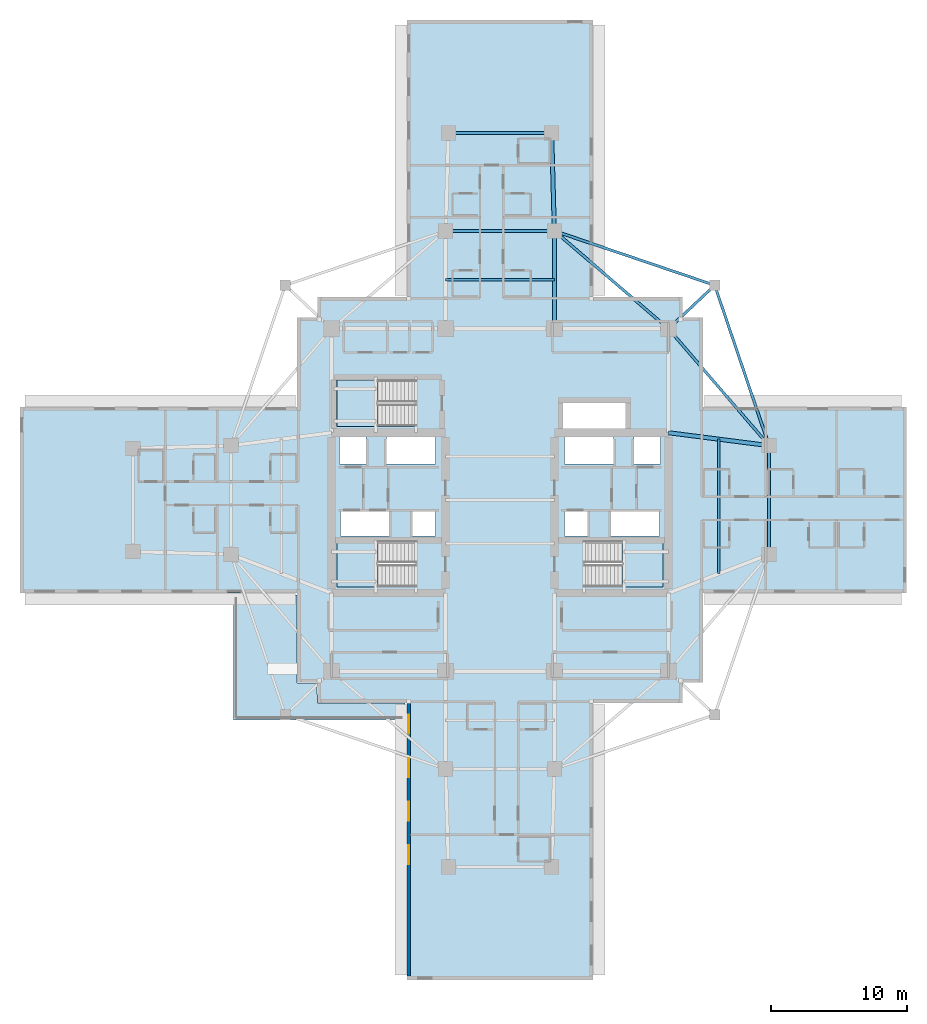
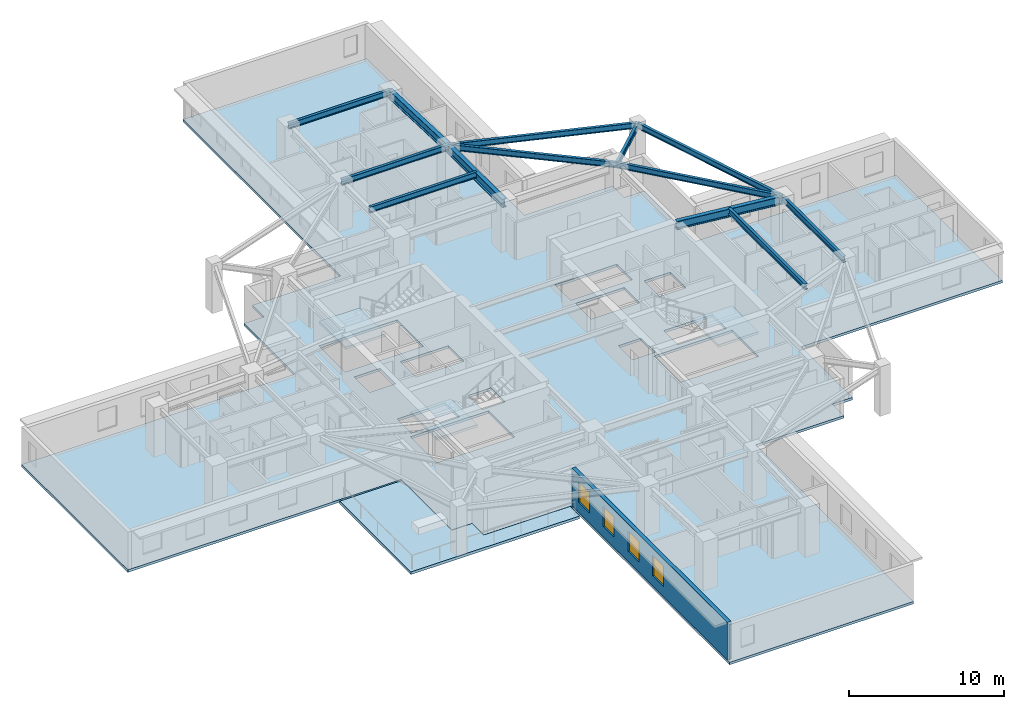
# One storey, part 2 of 13: 13 beams, 5 slabs, 4 windows, 1 wall, 4 openings, 3 elements without a shape of their own.
"""IFC4 building model written with IfcOpenShell, lengths in metres."""

from ifc_helpers import new_model, si_unit, direction, frame, frame_2d, origin, origin_2d, place, context, subcontext, project, spatial, polyline, rectangle, i_section, outline, extrude, material, layer, layer_set, material_profile, profile_set, type_object, element, fill, aggregate, save


model = new_model("IFC4")

# Units and contexts
model_context = context("Model", 3, precision=1e-05, world=origin(), true_north=direction((0.0, 1.0)))
body_context = subcontext(model_context, "Body", "Model", "MODEL_VIEW")
ifc_project = project(units=[si_unit("LENGTHUNIT", "METRE"), si_unit("AREAUNIT", "SQUARE_METRE"), si_unit("VOLUMEUNIT", "CUBIC_METRE"), si_unit("PLANEANGLEUNIT", "RADIAN"), si_unit("MASSUNIT", "GRAM", prefix="KILO")], contexts=[model_context])

# Site, building, storey
site_placement = place(None, origin())
site = spatial("IfcSite", under=ifc_project, at=site_placement, CompositionType="ELEMENT")
building_placement = place(site_placement, origin())
building = spatial("IfcBuilding", under=site, at=building_placement, Name="Qingluan Cross Belvedere", CompositionType="ELEMENT")
storey_placement = place(building_placement, frame((0.0, 0.0, 104.699951171875)))
storey = spatial("IfcBuildingStorey", under=building, at=storey_placement, Name="L26", CompositionType="ELEMENT", Elevation=104.699951171875)

# Beams
ifc_material_1 = material(Name="Steel Q420GJB", Category="steel")
ifc_material_profile_1 = material_profile(ifc_material_1, i_section(OverallWidth=0.199951171875, OverallDepth=0.449951171875, WebThickness=0.009033203125, FlangeThickness=0.013916015625, FilletRadius=0.01611328125, at=origin_2d()), Name="HN450x200x9x14")
ifc_profile_set_1 = profile_set([ifc_material_profile_1], Name="Steel Q420GJB")
beam_type_1 = type_object("IfcBeamType", Name="Steel_Beam_HN450x200x9x14", PredefinedType="JOIST", material=ifc_profile_set_1)
beam_1_placement = place(storey_placement, frame((12.39990234375, 12.60009765625, 3.47509765625), z_axis=(0.728219948308, 0.685343495546, 0.0), x_axis=(-0.685343495546, 0.728219948308, 0.0)))
element("IfcBeam", 1, at=beam_1_placement, inside=storey, type_object=beam_type_1, Name="Corner beam 1 L26-RNE", PredefinedType="JOIST", context=body_context, shape_type="SweptSolid", body=[
    extrude(i_section(OverallWidth=0.199951171875, OverallDepth=0.449951171875, WebThickness=0.009033203125, FlangeThickness=0.013916015625, FilletRadius=0.01611328125, at=origin_2d()), origin(), (0.0, 0.0, 1.0), 4.669189453125),
])
for number, where, z_axis, x_axis, name in (
    (2, (15.800048828125, 15.800048828125, 3.47509765625), (-0.947066283324, 0.321038089628, 0.0), (-0.321038089628, -0.947066283324, 0.0), "Corner beam 2 L26-RNE"),
    (3, (15.800048828125, 15.800048828125, 3.47509765625), (0.321038089628, -0.947066283324, 0.0), (0.947066283324, 0.321038089628, 0.0), "Corner beam 3 L26-RNE"),
):
    element("IfcBeam", number, at=place(storey_placement, frame(where, z_axis=z_axis, x_axis=x_axis)), inside=storey, type_object=beam_type_1, Name=name, PredefinedType="JOIST", context=body_context, shape_type="SweptSolid", body=[
        extrude(i_section(OverallWidth=0.199951171875, OverallDepth=0.449951171875, WebThickness=0.009033203125, FlangeThickness=0.013916015625, FilletRadius=0.01611328125, at=origin_2d()), origin(), (0.0, 0.0, 1.0), 12.45947265625),
    ])
beam_2_placement = place(storey_placement, frame((12.39990234375, 12.60009765625, 3.47509765625), z_axis=(0.652245077546, -0.75800815221, 0.0), x_axis=(0.75800815221, 0.652245077546, 0.0)))
element("IfcBeam", 4, at=beam_2_placement, inside=storey, type_object=beam_type_1, Name="Corner beam 4 L26-RNE", PredefinedType="JOIST", context=body_context, shape_type="SweptSolid", body=[
    extrude(i_section(OverallWidth=0.199951171875, OverallDepth=0.449951171875, WebThickness=0.009033203125, FlangeThickness=0.013916015625, FilletRadius=0.01611328125, at=origin_2d()), origin(), (0.0, 0.0, 1.0), 11.345703125),
])
beam_3_placement = place(storey_placement, frame((12.39990234375, 12.60009765625, 3.47509765625), z_axis=(-0.759255044656, 0.650793190779, 0.0), x_axis=(-0.650793190779, -0.759255044656, 0.0)))
element("IfcBeam", 5, at=beam_3_placement, inside=storey, type_object=beam_type_1, Name="Corner beam 5 L26-RNE", PredefinedType="JOIST", context=body_context, shape_type="SweptSolid", body=[
    extrude(i_section(OverallWidth=0.199951171875, OverallDepth=0.449951171875, WebThickness=0.009033203125, FlangeThickness=0.013916015625, FilletRadius=0.01611328125, at=origin_2d()), origin(), (0.0, 0.0, 1.0), 11.063232421875),
])
beam_4_placement = place(storey_placement, frame((19.800048828125, -4.0, 3.47509765625), z_axis=(0.0, 1.0, 0.0), x_axis=(-1.0, 0.0, 0.0)))
element("IfcBeam", 6, at=beam_4_placement, inside=storey, type_object=beam_type_1, Name="Arm E tie L26", PredefinedType="JOIST", context=body_context, shape_type="SweptSolid", body=[
    extrude(i_section(OverallWidth=0.199951171875, OverallDepth=0.449951171875, WebThickness=0.009033203125, FlangeThickness=0.013916015625, FilletRadius=0.01611328125, at=origin_2d()), origin(), (0.0, 0.0, 1.0), 8.0),
])
beam_5_placement = place(storey_placement, frame((16.10009765625, -5.425048828125, 3.47509765625), z_axis=(0.0, 1.0, 0.0), x_axis=(-1.0, 0.0, 0.0)))
element("IfcBeam", 7, at=beam_5_placement, inside=storey, type_object=beam_type_1, Name="Arm E beam L26", PredefinedType="JOIST", context=body_context, shape_type="SweptSolid", body=[
    extrude(i_section(OverallWidth=0.199951171875, OverallDepth=0.449951171875, WebThickness=0.009033203125, FlangeThickness=0.013916015625, FilletRadius=0.01611328125, at=origin_2d()), origin(), (0.0, 0.0, 1.0), 9.900146484375),
])
for number, where, z_axis, x_axis, name in (
    (8, (-4.0, 19.800048828125, 3.47509765625), (1.0, 0.0, 0.0), (0.0, 1.0, 0.0), "Arm N tie L26"),
    (9, (-4.0, 16.199951171875, 3.47509765625), (1.0, 0.0, 0.0), (0.0, 1.0, 0.0), "Arm N beam L26"),
):
    element("IfcBeam", number, at=place(storey_placement, frame(where, z_axis=z_axis, x_axis=x_axis)), inside=storey, type_object=beam_type_1, Name=name, PredefinedType="JOIST", context=body_context, shape_type="SweptSolid", body=[
        extrude(i_section(OverallWidth=0.199951171875, OverallDepth=0.449951171875, WebThickness=0.009033203125, FlangeThickness=0.013916015625, FilletRadius=0.01611328125, at=origin_2d()), origin(), (0.0, 0.0, 1.0), 8.0),
    ])
beam_6_placement = place(storey_placement, frame((-3.800048828125, 27.0, 3.47509765625), z_axis=(1.0, 0.0, 0.0), x_axis=(0.0, 1.0, 0.0)))
element("IfcBeam", 10, at=beam_6_placement, inside=storey, type_object=beam_type_1, Name="Arm N tip transverse beam L26", PredefinedType="JOIST", context=body_context, shape_type="SweptSolid", body=[
    extrude(i_section(OverallWidth=0.199951171875, OverallDepth=0.449951171875, WebThickness=0.009033203125, FlangeThickness=0.013916015625, FilletRadius=0.01611328125, at=origin_2d()), origin(), (0.0, 0.0, 1.0), 7.60009765625),
])
ifc_material_2 = material(Name="Steel Q420GJB", Category="steel")
ifc_material_profile_2 = material_profile(ifc_material_2, i_section(OverallWidth=0.300048828125, OverallDepth=0.64990234375, WebThickness=0.014404296875, FlangeThickness=0.02587890625, FilletRadius=0.027099609375, at=origin_2d()), Name="HEB650")
ifc_profile_set_2 = profile_set([ifc_material_profile_2], Name="Steel Q420GJB")
beam_type_2 = type_object("IfcBeamType", Name="Steel_Girder_HEB650", PredefinedType="USERDEFINED", material=ifc_profile_set_2)
beam_7_placement = place(storey_placement, frame((12.39990234375, 4.949951171875, 3.375), z_axis=(0.991861120628, -0.12732445714, 0.0), x_axis=(0.12732445714, 0.991861120628, 0.0)))
element("IfcBeam", 11, at=beam_7_placement, inside=storey, type_object=beam_type_2, Name="Arm E radial girder B L26", ObjectType="GIRDER", PredefinedType="USERDEFINED", context=body_context, shape_type="SweptSolid", body=[
    extrude(i_section(OverallWidth=0.300048828125, OverallDepth=0.64990234375, WebThickness=0.014404296875, FlangeThickness=0.02587890625, FilletRadius=0.027099609375, at=origin_2d()), origin(), (0.0, 0.0, 1.0), 7.4609375),
])
beam_8_placement = place(storey_placement, frame((4.0, 12.60009765625, 3.375), z_axis=(0.0, 1.0, 0.0), x_axis=(-1.0, 0.0, 0.0)))
element("IfcBeam", 12, at=beam_8_placement, inside=storey, type_object=beam_type_2, Name="Arm N radial girder B L26", ObjectType="GIRDER", PredefinedType="USERDEFINED", context=body_context, shape_type="SweptSolid", body=[
    extrude(i_section(OverallWidth=0.300048828125, OverallDepth=0.64990234375, WebThickness=0.014404296875, FlangeThickness=0.02587890625, FilletRadius=0.027099609375, at=origin_2d()), origin(), (0.0, 0.0, 1.0), 7.199951171875),
])
beam_9_placement = place(storey_placement, frame((4.0, 19.800048828125, 3.375), z_axis=(-0.027760481514, 0.999614603568, 0.0), x_axis=(-0.999614603568, -0.027760481514, 0.0)))
element("IfcBeam", 13, at=beam_9_placement, inside=storey, type_object=beam_type_2, Name="Arm N outer radial girder B L26", ObjectType="GIRDER", PredefinedType="USERDEFINED", context=body_context, shape_type="SweptSolid", body=[
    extrude(i_section(OverallWidth=0.300048828125, OverallDepth=0.64990234375, WebThickness=0.014404296875, FlangeThickness=0.02587890625, FilletRadius=0.027099609375, at=origin_2d()), origin(), (0.0, 0.0, 1.0), 7.20263671875),
])

# Slab
ifc_material_3 = material(Name="Concrete C40", Category="concrete")
ifc_layer_1 = layer(ifc_material_3, 0.199951171875, Name="FloorSlab_200")
ifc_layer_set_1 = layer_set([ifc_layer_1], Name="Concrete C40")
slab_type_1 = type_object("IfcSlabType", Name="FloorSlab_200", PredefinedType="FLOOR", material=ifc_layer_set_1)
slab_1_placement = place(storey_placement, frame((0.0, 0.0, -0.199951171875)))
element("IfcSlab", 14, at=slab_1_placement, inside=storey, type_object=slab_type_1, Name="Structural floor slab L26", PredefinedType="FLOOR", context=body_context, shape_type="SweptSolid", body=[
    extrude(outline(polyline([(6.860107421875, -35.320068359375), (6.860107421875, -14.93994140625), (13.43994140625, -14.93994140625), (13.43994140625, -13.43994140625), (14.93994140625, -13.43994140625), (14.93994140625, -6.860107421875), (29.919921875, -6.860107421875), (29.919921875, 6.860107421875), (14.93994140625, 6.860107421875), (14.93994140625, 13.43994140625), (13.43994140625, 13.43994140625), (13.43994140625, 14.93994140625), (6.860107421875, 14.93994140625), (6.860107421875, 35.320068359375), (-6.860107421875, 35.320068359375), (-6.860107421875, 14.93994140625), (-13.43994140625, 14.93994140625), (-13.43994140625, 13.43994140625), (-14.93994140625, 13.43994140625), (-14.93994140625, 6.860107421875), (-35.320068359375, 6.860107421875), (-35.320068359375, -6.860107421875), (-14.93994140625, -6.860107421875), (-14.93994140625, -13.43994140625), (-13.43994140625, -13.43994140625), (-13.43994140625, -14.93994140625), (-6.860107421875, -14.93994140625), (-6.860107421875, -35.320068359375), (6.860107421875, -35.320068359375)]), holes=[polyline([(-12.0, -3.0), (-6.179931640625, -3.0), (-6.179931640625, -6.39990234375), (-12.0, -6.39990234375), (-12.0, -3.0)]), polyline([(6.179931640625, -3.0), (12.0, -3.0), (12.0, -6.39990234375), (6.179931640625, -6.39990234375), (6.179931640625, -3.0)]), polyline([(-12.0, 8.820068359375), (-6.179931640625, 8.820068359375), (-6.179931640625, 5.419921875), (-12.0, 5.419921875), (-12.0, 8.820068359375)]), polyline([(-11.800048828125, 4.64990234375), (-9.85009765625, 4.64990234375), (-9.85009765625, 2.64990234375), (-11.800048828125, 2.64990234375), (-11.800048828125, 4.64990234375)]), polyline([(-8.35009765625, 4.64990234375), (-4.75, 4.64990234375), (-4.75, 2.64990234375), (-8.35009765625, 2.64990234375), (-8.35009765625, 4.64990234375)]), polyline([(4.75, 4.64990234375), (8.35009765625, 4.64990234375), (8.35009765625, 2.64990234375), (4.75, 2.64990234375), (4.75, 4.64990234375)]), polyline([(9.85009765625, 4.64990234375), (11.800048828125, 4.64990234375), (11.800048828125, 2.64990234375), (9.85009765625, 2.64990234375), (9.85009765625, 4.64990234375)]), polyline([(-11.75, -0.840087890625), (-8.14990234375, -0.840087890625), (-8.14990234375, -2.659912109375), (-11.75, -2.659912109375), (-11.75, -0.840087890625)]), polyline([(-6.449951171875, -0.840087890625), (-4.75, -0.840087890625), (-4.75, -2.659912109375), (-6.449951171875, -2.659912109375), (-6.449951171875, -0.840087890625)]), polyline([(4.75, -0.840087890625), (6.449951171875, -0.840087890625), (6.449951171875, -2.659912109375), (4.75, -2.659912109375), (4.75, -0.840087890625)]), polyline([(8.14990234375, -0.840087890625), (11.75, -0.840087890625), (11.75, -2.659912109375), (8.14990234375, -2.659912109375), (8.14990234375, -0.840087890625)]), polyline([(4.64990234375, 7.14990234375), (9.25, 7.14990234375), (9.25, 5.14990234375), (4.64990234375, 5.14990234375), (4.64990234375, 7.14990234375)])]), origin(), (0.0, 0.0, 1.0), 0.199951171875),
])

# Stair, slab
ifc_material_4 = material(Name="Concrete C40", Category="concrete")
stair_type = type_object("IfcStairType", Name="CoreDoglegStair_1620", PredefinedType="HALF_TURN_STAIR", material=ifc_material_4)
stair_1_placement = place(storey_placement, origin())
stair_1 = element("IfcStair", 15, at=stair_1_placement, inside=storey, type_object=stair_type, Name="L26 ST1", PredefinedType="HALF_TURN_STAIR")
ifc_material_5 = material(Name="Concrete C40", Category="concrete")
ifc_layer_2 = layer(ifc_material_5, 0.179931640625, Name="StairLandingSlab_180")
ifc_layer_set_2 = layer_set([ifc_layer_2], Name="Concrete C40")
slab_type_2 = type_object("IfcSlabType", Name="StairLandingSlab_180", PredefinedType="LANDING", material=ifc_layer_set_2)
slab_2_placement = place(storey_placement, frame((0.0, 0.0, 1.75)))
slab_2 = element("IfcSlab", 16, at=slab_2_placement, type_object=slab_type_2, Name="ST1 landing 1", PredefinedType="LANDING", context=body_context, shape_type="SweptSolid", body=[
    extrude(outline(polyline([(-8.97998046875, -3.0), (-12.0, -3.0), (-12.0, -6.39990234375), (-8.97998046875, -6.39990234375), (-8.97998046875, -3.0)])), origin(), (0.0, 0.0, 1.0), 0.199951171875),
])
aggregate(stair_1, [slab_2])

stair_2_placement = place(storey_placement, origin())
stair_2 = element("IfcStair", 17, at=stair_2_placement, inside=storey, type_object=stair_type, Name="L26 ST2", PredefinedType="HALF_TURN_STAIR")
slab_3_placement = place(storey_placement, frame((0.0, 0.0, 1.75)))
slab_3 = element("IfcSlab", 18, at=slab_3_placement, type_object=slab_type_2, Name="ST2 landing 1", PredefinedType="LANDING", context=body_context, shape_type="SweptSolid", body=[
    extrude(outline(polyline([(8.97998046875, -6.39990234375), (12.0, -6.39990234375), (12.0, -3.0), (8.97998046875, -3.0), (8.97998046875, -6.39990234375)])), origin(), (0.0, 0.0, 1.0), 0.199951171875),
])
aggregate(stair_2, [slab_3])

stair_3_placement = place(storey_placement, origin())
stair_3 = element("IfcStair", 19, at=stair_3_placement, inside=storey, type_object=stair_type, Name="L26 ST3", PredefinedType="HALF_TURN_STAIR")
slab_4_placement = place(storey_placement, frame((0.0, 0.0, 1.75)))
slab_4 = element("IfcSlab", 20, at=slab_4_placement, type_object=slab_type_2, Name="ST3 landing 1", PredefinedType="LANDING", context=body_context, shape_type="SweptSolid", body=[
    extrude(outline(polyline([(-8.97998046875, 8.820068359375), (-12.0, 8.820068359375), (-12.0, 5.419921875), (-8.97998046875, 5.419921875), (-8.97998046875, 8.820068359375)])), origin(), (0.0, 0.0, 1.0), 0.199951171875),
])
aggregate(stair_3, [slab_4])

# Slab
ifc_material_6 = material(Name="Concrete C40", Category="concrete")
ifc_layer_3 = layer(ifc_material_6, 0.219970703125, Name="TerraceSlab_220")
ifc_layer_set_3 = layer_set([ifc_layer_3], Name="Concrete C40")
slab_type_3 = type_object("IfcSlabType", Name="TerraceSlab_220", PredefinedType="FLOOR", material=ifc_layer_set_3)
slab_5_placement = place(storey_placement, frame((0.0, 0.0, -0.219970703125)))
element("IfcSlab", 21, at=slab_5_placement, inside=storey, type_object=slab_type_3, Name="Spiralling winter-garden terrace slab L26", PredefinedType="FLOOR", context=body_context, shape_type="SweptSolid", body=[
    extrude(outline(polyline([(-7.0, -14.949951171875), (-13.445556640625, -14.9482421875), (-13.449951171875, -13.449951171875), (-14.93994140625, -13.449951171875), (-14.94970703125, -13.44189453125), (-14.949951171875, -7.0), (-19.60009765625, -7.0), (-19.60009765625, -16.199951171875), (-7.0, -16.199951171875), (-7.0, -14.949951171875)])), origin(), (0.0, 0.0, 1.0), 0.219970703125),
])

# Wall, openings, windows
ifc_material_7 = material(Name="Precast concrete C45", Category="concrete")
ifc_layer_4 = layer(ifc_material_7, 0.280029296875, Name="PrecastFacadeWall_280")
ifc_layer_set_4 = layer_set([ifc_layer_4], Name="Precast concrete C45")
wall_type = type_object("IfcWallType", Name="PrecastFacadeWall_280", PredefinedType="STANDARD", material=ifc_layer_set_4)
wall_placement = place(storey_placement, frame((-6.719970703125, -14.93994140625, 0.0), z_axis=(0.0, 0.0, 1.0), x_axis=(0.0, -1.0, 0.0)))
wall = element("IfcWall", 22, at=wall_placement, inside=storey, type_object=wall_type, Name="Facade wall L26-SA", PredefinedType="STANDARD", context=body_context, shape_type="SweptSolid", body=[
    extrude(rectangle(XDim=20.10009765625, YDim=0.280029296875, at=frame_2d((10.050048828125, 0.0))), origin(), (0.0, 0.0, 1.0), 2.969970703125),
])
opening_1_placement = place(wall_placement, frame((0.85009765625, 0.0, 0.800048828125)))
opening_1 = element("IfcOpeningElement", 23, at=opening_1_placement, cuts=wall, Name="Opening W-01", PredefinedType="OPENING", context=body_context, shape_type="SweptSolid", body=[
    extrude(rectangle(XDim=1.39990234375, YDim=1.60009765625, at=frame_2d((0.699951171875, 0.800048828125))), frame((0.0, 0.14990234375, 0.0), z_axis=(0.0, -1.0, 0.0), x_axis=(1.0, 0.0, 0.0)), (0.0, 0.0, 1.0), 0.300048828125),
])
opening_2_placement = place(wall_placement, frame((4.050048828125, 0.0, 0.800048828125)))
opening_2 = element("IfcOpeningElement", 24, at=opening_2_placement, cuts=wall, Name="Opening W-01", PredefinedType="OPENING", context=body_context, shape_type="SweptSolid", body=[
    extrude(rectangle(XDim=1.39990234375, YDim=1.60009765625, at=frame_2d((0.699951171875, 0.800048828125))), frame((0.0, 0.14990234375, 0.0), z_axis=(0.0, -1.0, 0.0), x_axis=(1.0, 0.0, 0.0)), (0.0, 0.0, 1.0), 0.300048828125),
])
opening_3_placement = place(wall_placement, frame((7.25, 0.0, 0.800048828125)))
opening_3 = element("IfcOpeningElement", 25, at=opening_3_placement, cuts=wall, Name="Opening W-01", PredefinedType="OPENING", context=body_context, shape_type="SweptSolid", body=[
    extrude(rectangle(XDim=1.39990234375, YDim=1.60009765625, at=frame_2d((0.699951171875, 0.800048828125))), frame((0.0, 0.14990234375, 0.0), z_axis=(0.0, -1.0, 0.0), x_axis=(1.0, 0.0, 0.0)), (0.0, 0.0, 1.0), 0.300048828125),
])
opening_4_placement = place(wall_placement, frame((10.449951171875, 0.0, 0.800048828125)))
opening_4 = element("IfcOpeningElement", 26, at=opening_4_placement, cuts=wall, Name="Opening W-01", PredefinedType="OPENING", context=body_context, shape_type="SweptSolid", body=[
    extrude(rectangle(XDim=1.39990234375, YDim=1.60009765625, at=frame_2d((0.699951171875, 0.800048828125))), frame((0.0, 0.14990234375, 0.0), z_axis=(0.0, -1.0, 0.0), x_axis=(1.0, 0.0, 0.0)), (0.0, 0.0, 1.0), 0.300048828125),
])
ifc_material_8 = material(Name="Thermally broken triple Low-E glass in aluminium frame", Category="aluminium")
window_type = type_object("IfcWindowType", Name="TriRibbonWin_1400x1600", PartitioningType="SINGLE_PANEL", PredefinedType="WINDOW", material=ifc_material_8)
window_1_placement = place(opening_1_placement, origin())
window_1 = element("IfcWindow", 27, at=window_1_placement, inside=storey, type_object=window_type, Name="Ribbon window L26-SA-1", OverallHeight=1.60009765625, OverallWidth=1.39990234375, PartitioningType="SINGLE_PANEL", PredefinedType="WINDOW", context=body_context, shape_type="SweptSolid", body=[
    extrude(rectangle(XDim=1.39990234375, YDim=1.60009765625, at=frame_2d((0.699951171875, 0.800048828125))), frame((0.0, 0.030029296875, 0.0), z_axis=(0.0, -1.0, 0.0), x_axis=(1.0, 0.0, 0.0)), (0.0, 0.0, 1.0), 0.06005859375),
])
fill(opening_1, window_1)
window_2_placement = place(opening_2_placement, origin())
window_2 = element("IfcWindow", 28, at=window_2_placement, inside=storey, type_object=window_type, Name="Ribbon window L26-SA-2", OverallHeight=1.60009765625, OverallWidth=1.39990234375, PartitioningType="SINGLE_PANEL", PredefinedType="WINDOW", context=body_context, shape_type="SweptSolid", body=[
    extrude(rectangle(XDim=1.39990234375, YDim=1.60009765625, at=frame_2d((0.699951171875, 0.800048828125))), frame((0.0, 0.030029296875, 0.0), z_axis=(0.0, -1.0, 0.0), x_axis=(1.0, 0.0, 0.0)), (0.0, 0.0, 1.0), 0.06005859375),
])
fill(opening_2, window_2)
window_3_placement = place(opening_3_placement, origin())
window_3 = element("IfcWindow", 29, at=window_3_placement, inside=storey, type_object=window_type, Name="Ribbon window L26-SA-3", OverallHeight=1.60009765625, OverallWidth=1.39990234375, PartitioningType="SINGLE_PANEL", PredefinedType="WINDOW", context=body_context, shape_type="SweptSolid", body=[
    extrude(rectangle(XDim=1.39990234375, YDim=1.60009765625, at=frame_2d((0.699951171875, 0.800048828125))), frame((0.0, 0.030029296875, 0.0), z_axis=(0.0, -1.0, 0.0), x_axis=(1.0, 0.0, 0.0)), (0.0, 0.0, 1.0), 0.06005859375),
])
fill(opening_3, window_3)
window_4_placement = place(opening_4_placement, origin())
window_4 = element("IfcWindow", 30, at=window_4_placement, inside=storey, type_object=window_type, Name="Ribbon window L26-SA-4", OverallHeight=1.60009765625, OverallWidth=1.39990234375, PartitioningType="SINGLE_PANEL", PredefinedType="WINDOW", context=body_context, shape_type="SweptSolid", body=[
    extrude(rectangle(XDim=1.39990234375, YDim=1.60009765625, at=frame_2d((0.699951171875, 0.800048828125))), frame((0.0, 0.030029296875, 0.0), z_axis=(0.0, -1.0, 0.0), x_axis=(1.0, 0.0, 0.0)), (0.0, 0.0, 1.0), 0.06005859375),
])
fill(opening_4, window_4)

save(model, "model.ifc")
